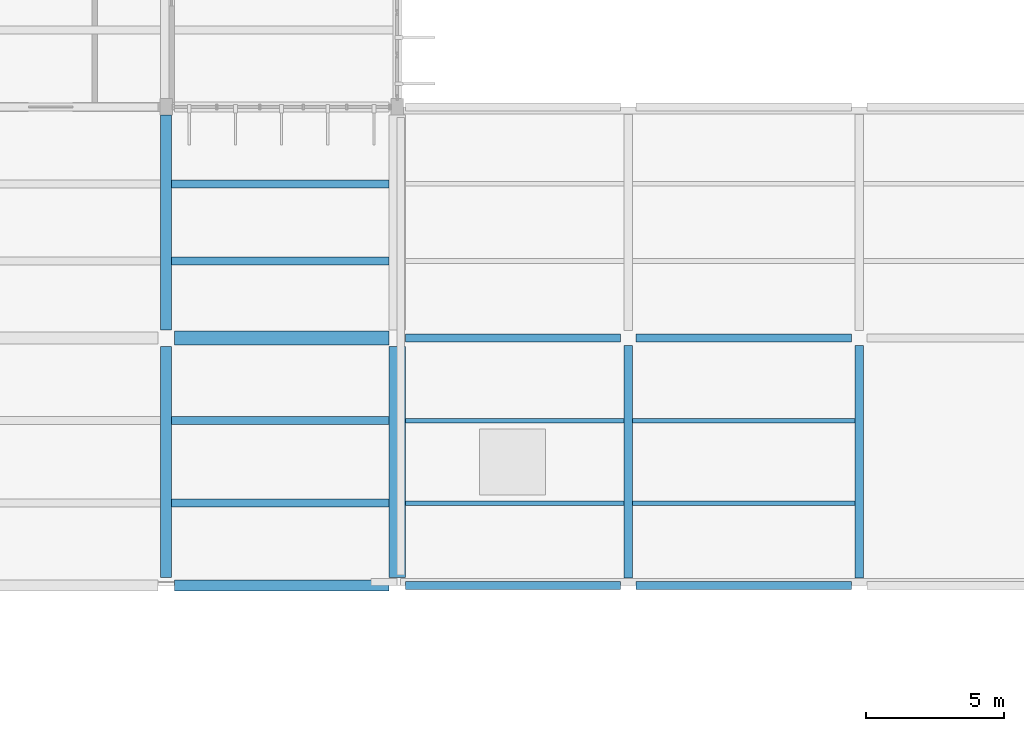
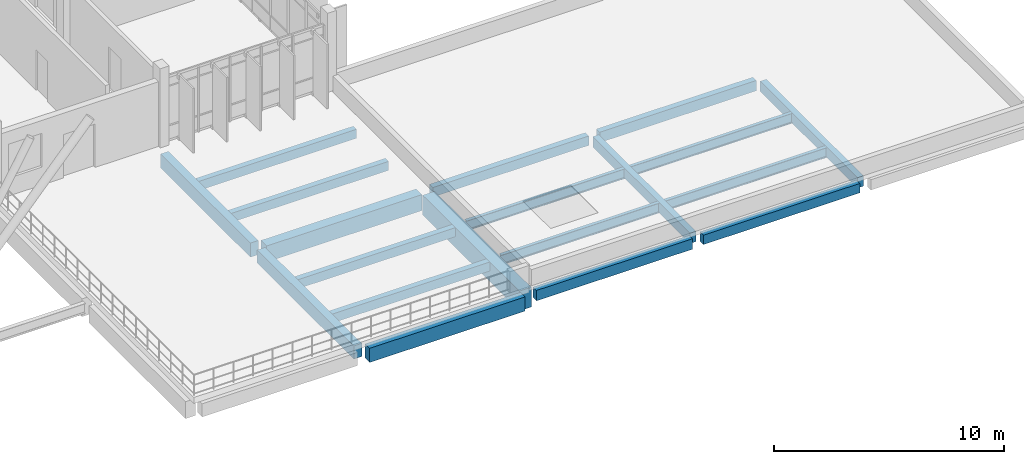
# One storey, part 14 of 107: 19 beams.
"""IFC4 building model written with IfcOpenShell, lengths in metres."""

from ifc_helpers import new_model, si_unit, direction, frame, origin, origin_2d, place, context, subcontext, project, spatial, rectangle, i_section, extrude, material, material_profile, profile_set, type_object, element, save


model = new_model("IFC4")

# Units and contexts
model_context = context("Model", 3, precision=1e-05, world=origin(), true_north=direction((0.0, 1.0)))
body_context = subcontext(model_context, "Body", "Model", "MODEL_VIEW")
ifc_project = project(units=[si_unit("LENGTHUNIT", "METRE"), si_unit("AREAUNIT", "SQUARE_METRE"), si_unit("VOLUMEUNIT", "CUBIC_METRE"), si_unit("PLANEANGLEUNIT", "RADIAN"), si_unit("MASSUNIT", "GRAM", prefix="KILO")], contexts=[model_context])

# Site, building, storey
site_placement = place(None, origin())
site = spatial("IfcSite", under=ifc_project, at=site_placement, CompositionType="ELEMENT")
building_placement = place(site_placement, origin())
building = spatial("IfcBuilding", under=site, at=building_placement, Name="Vireocrest Preparatory School", CompositionType="ELEMENT")
storey_placement = place(building_placement, frame((0.0, 0.0, 13.199951171875)))
storey = spatial("IfcBuildingStorey", under=building, at=storey_placement, Name="L03", CompositionType="ELEMENT", Elevation=13.199951171875)

# Beams
ifc_material_1 = material(Name="Structural steel ASTM A992 Grade 50", Category="steel")
ifc_material_profile_1 = material_profile(ifc_material_1, i_section(OverallWidth=0.166015625, OverallDepth=0.529052734375, WebThickness=0.009765625, FlangeThickness=0.013671875, FilletRadius=0.014892578125, at=origin_2d()), Name="W21X50")
ifc_profile_set_1 = profile_set([ifc_material_profile_1], Name="Structural steel ASTM A992 Grade 50")
beam_type_1 = type_object("IfcBeamType", Name="Pavilion Roof Joist W21X50", PredefinedType="JOIST", material=ifc_profile_set_1)
for number, where, z_axis, x_axis, name in (
    (1, (109.5, 21.0, -0.484375), (1.0, 0.0, 0.0), (0.0, 1.0, 0.0), "Secondary Joist SJ1 L03-1277"),
    (2, (109.5, 24.0, -0.484375), (1.0, 0.0, 0.0), (0.0, 1.0, 0.0), "Secondary Joist SJ1 L03-1278"),
):
    element("IfcBeam", number, at=place(storey_placement, frame(where, z_axis=z_axis, x_axis=x_axis)), inside=storey, type_object=beam_type_1, Name=name, PredefinedType="JOIST", context=body_context, shape_type="SweptSolid", body=[
        extrude(i_section(OverallWidth=0.166015625, OverallDepth=0.529052734375, WebThickness=0.009765625, FlangeThickness=0.013671875, FilletRadius=0.014892578125, at=origin_2d()), origin(), (0.0, 0.0, 1.0), 7.949951171875),
    ])
for number, where, z_axis, x_axis, name in (
    (3, (117.75, 21.0, -0.484375), (1.0, 0.0, 0.0), (0.0, 1.0, 0.0), "Secondary Joist SJ1 L03-1285"),
    (4, (117.75, 24.0, -0.484375), (1.0, 0.0, 0.0), (0.0, 1.0, 0.0), "Secondary Joist SJ1 L03-1286"),
):
    element("IfcBeam", number, at=place(storey_placement, frame(where, z_axis=z_axis, x_axis=x_axis)), inside=storey, type_object=beam_type_1, Name=name, PredefinedType="JOIST", context=body_context, shape_type="SweptSolid", body=[
        extrude(i_section(OverallWidth=0.166015625, OverallDepth=0.529052734375, WebThickness=0.009765625, FlangeThickness=0.013671875, FilletRadius=0.014892578125, at=origin_2d()), origin(), (0.0, 0.0, 1.0), 8.10009765625),
    ])
ifc_material_2 = material(Name="Concrete 40 MPa", Category="concrete")
ifc_material_profile_2 = material_profile(ifc_material_2, rectangle(XDim=0.39990234375, YDim=0.75, at=origin_2d()), Name="RC 400x750")
ifc_profile_set_2 = profile_set([ifc_material_profile_2], Name="Concrete 40 MPa")
beam_type_2 = type_object("IfcBeamType", Name="RC Commons Girder 400x750", PredefinedType="BEAM", material=ifc_profile_set_2)
beam_1_placement = place(storey_placement, frame((101.10009765625, 18.0, -0.695068359375), z_axis=(1.0, 0.0, 0.0), x_axis=(0.0, 1.0, 0.0)))
element("IfcBeam", 5, at=beam_1_placement, inside=storey, type_object=beam_type_2, Name="Primary Girder B09 L03-1033", PredefinedType="BEAM", context=body_context, shape_type="SweptSolid", body=[
    extrude(rectangle(XDim=0.39990234375, YDim=0.75, at=origin_2d()), origin(), (0.0, 0.0, 1.0), 7.7998046875),
])
beam_2_placement = place(storey_placement, frame((100.800048828125, 27.300048828125, -0.695068359375), z_axis=(0.0, 1.0, 0.0), x_axis=(-1.0, 0.0, 0.0)))
element("IfcBeam", 6, at=beam_2_placement, inside=storey, type_object=beam_type_2, Name="Primary Girder B09 L03-1154", PredefinedType="BEAM", context=body_context, shape_type="SweptSolid", body=[
    extrude(rectangle(XDim=0.39990234375, YDim=0.75, at=origin_2d()), origin(), (0.0, 0.0, 1.0), 7.800048828125),
])
ifc_material_profile_3 = material_profile(ifc_material_2, rectangle(XDim=0.39990234375, YDim=0.699951171875, at=origin_2d()), Name="RC 400x700")
ifc_profile_set_3 = profile_set([ifc_material_profile_3], Name="Concrete 40 MPa")
beam_type_3 = type_object("IfcBeamType", Name="RC Corridor Girder 400x700", PredefinedType="BEAM", material=ifc_profile_set_3)
beam_3_placement = place(storey_placement, frame((100.800048828125, 18.300048828125, -0.669921875), z_axis=(0.0, 1.0, 0.0), x_axis=(-1.0, 0.0, 0.0)))
element("IfcBeam", 7, at=beam_3_placement, inside=storey, type_object=beam_type_3, Name="Primary Girder B08 L03-1153", PredefinedType="BEAM", context=body_context, shape_type="SweptSolid", body=[
    extrude(rectangle(XDim=0.39990234375, YDim=0.699951171875, at=origin_2d()), origin(), (0.0, 0.0, 1.0), 8.39990234375),
])
ifc_material_profile_4 = material_profile(ifc_material_2, rectangle(XDim=0.5, YDim=0.85009765625, at=origin_2d()), Name="RC 500x850")
ifc_profile_set_4 = profile_set([ifc_material_profile_4], Name="Concrete 40 MPa")
beam_type_4 = type_object("IfcBeamType", Name="RC Podium Girder 500x850", PredefinedType="BEAM", material=ifc_profile_set_4)
beam_4_placement = place(storey_placement, frame((101.10009765625, 27.0, -0.744873046875), z_axis=(1.0, 0.0, 0.0), x_axis=(0.0, 1.0, 0.0)))
element("IfcBeam", 8, at=beam_4_placement, inside=storey, type_object=beam_type_4, Name="Primary Girder B14 L03-1038", PredefinedType="BEAM", context=body_context, shape_type="SweptSolid", body=[
    extrude(rectangle(XDim=0.5, YDim=0.85009765625, at=origin_2d()), origin(), (0.0, 0.0, 1.0), 7.7998046875),
])
ifc_material_profile_5 = material_profile(ifc_material_2, rectangle(XDim=0.300048828125, YDim=0.5, at=origin_2d()), Name="RC 300x500")
ifc_profile_set_5 = profile_set([ifc_material_profile_5], Name="Concrete 40 MPa")
beam_type_5 = type_object("IfcBeamType", Name="RC Roof Edge Beam 300x500", PredefinedType="BEAM", material=ifc_profile_set_5)
beam_5_placement = place(storey_placement, frame((117.875, 18.0, -0.469970703125), z_axis=(1.0, 0.0, 0.0), x_axis=(0.0, 1.0, 0.0)))
element("IfcBeam", 9, at=beam_5_placement, inside=storey, type_object=beam_type_5, Name="Primary Girder B01 L03-1035", PredefinedType="BEAM", context=body_context, shape_type="SweptSolid", body=[
    extrude(rectangle(XDim=0.300048828125, YDim=0.5, at=origin_2d()), origin(), (0.0, 0.0, 1.0), 7.85009765625),
])
beam_6_placement = place(storey_placement, frame((109.5, 27.0, -0.469970703125), z_axis=(1.0, 0.0, 0.0), x_axis=(0.0, 1.0, 0.0)))
element("IfcBeam", 10, at=beam_6_placement, inside=storey, type_object=beam_type_5, Name="Primary Girder B01 L03-1039", PredefinedType="BEAM", context=body_context, shape_type="SweptSolid", body=[
    extrude(rectangle(XDim=0.300048828125, YDim=0.5, at=origin_2d()), origin(), (0.0, 0.0, 1.0), 7.824951171875),
])
ifc_material_profile_6 = material_profile(ifc_material_2, rectangle(XDim=0.300048828125, YDim=0.550048828125, at=origin_2d()), Name="RC 300x550")
ifc_profile_set_6 = profile_set([ifc_material_profile_6], Name="Concrete 40 MPa")
beam_type_6 = type_object("IfcBeamType", Name="RC Roof Girder 300x550", PredefinedType="BEAM", material=ifc_profile_set_6)
beam_7_placement = place(storey_placement, frame((109.5, 18.0, -0.494873046875), z_axis=(1.0, 0.0, 0.0), x_axis=(0.0, 1.0, 0.0)))
element("IfcBeam", 11, at=beam_7_placement, inside=storey, type_object=beam_type_6, Name="Primary Girder B02 L03-1034", PredefinedType="BEAM", context=body_context, shape_type="SweptSolid", body=[
    extrude(rectangle(XDim=0.300048828125, YDim=0.550048828125, at=origin_2d()), origin(), (0.0, 0.0, 1.0), 7.824951171875),
])
beam_8_placement = place(storey_placement, frame((117.875, 27.0, -0.494873046875), z_axis=(1.0, 0.0, 0.0), x_axis=(0.0, 1.0, 0.0)))
element("IfcBeam", 12, at=beam_8_placement, inside=storey, type_object=beam_type_6, Name="Primary Girder B02 L03-1040", PredefinedType="BEAM", context=body_context, shape_type="SweptSolid", body=[
    extrude(rectangle(XDim=0.300048828125, YDim=0.550048828125, at=origin_2d()), origin(), (0.0, 0.0, 1.0), 7.85009765625),
])
for number, where, z_axis, x_axis, name in (
    (13, (117.60009765625, 18.27490234375, -0.494873046875), (0.0, 1.0, 0.0), (-1.0, 0.0, 0.0), "Primary Girder B02 L03-1175"),
    (14, (126.0, 18.27490234375, -0.494873046875), (0.0, 1.0, 0.0), (-1.0, 0.0, 0.0), "Primary Girder B02 L03-1179"),
):
    element("IfcBeam", number, at=place(storey_placement, frame(where, z_axis=z_axis, x_axis=x_axis)), inside=storey, type_object=beam_type_6, Name=name, PredefinedType="BEAM", context=body_context, shape_type="SweptSolid", body=[
        extrude(rectangle(XDim=0.300048828125, YDim=0.550048828125, at=origin_2d()), origin(), (0.0, 0.0, 1.0), 8.4501953125),
    ])
ifc_material_profile_7 = material_profile(ifc_material_2, rectangle(XDim=0.280029296875, YDim=0.47998046875, at=origin_2d()), Name="RC 280x480")
ifc_profile_set_7 = profile_set([ifc_material_profile_7], Name="Concrete 40 MPa")
beam_type_7 = type_object("IfcBeamType", Name="RC Secondary Lab Joist 280x480", PredefinedType="JOIST", material=ifc_profile_set_7)
for number, where, z_axis, x_axis, name in (
    (15, (101.0, 21.0, -0.56005859375), (1.0, 0.0, 0.0), (0.0, 1.0, 0.0), "Secondary Joist J02 L03-1259"),
    (16, (101.0, 24.0, -0.56005859375), (1.0, 0.0, 0.0), (0.0, 1.0, 0.0), "Secondary Joist J02 L03-1260"),
    (17, (101.0, 29.800048828125, -0.56005859375), (1.0, 0.0, 0.0), (0.0, 1.0, 0.0), "Secondary Joist J02 L03-1261"),
    (18, (101.0, 32.60009765625, -0.56005859375), (1.0, 0.0, 0.0), (0.0, 1.0, 0.0), "Secondary Joist J02 L03-1262"),
):
    element("IfcBeam", number, at=place(storey_placement, frame(where, z_axis=z_axis, x_axis=x_axis)), inside=storey, type_object=beam_type_7, Name=name, PredefinedType="JOIST", context=body_context, shape_type="SweptSolid", body=[
        extrude(rectangle(XDim=0.280029296875, YDim=0.47998046875, at=origin_2d()), origin(), (0.0, 0.0, 1.0), 7.89990234375),
    ])
ifc_material_profile_8 = material_profile(ifc_material_2, rectangle(XDim=0.60009765625, YDim=1.050048828125, at=origin_2d()), Name="RC 600x1050")
ifc_profile_set_8 = profile_set([ifc_material_profile_8], Name="Concrete 40 MPa")
beam_type_8 = type_object("IfcBeamType", Name="RC Transfer Girder 600x1050", PredefinedType="BEAM", material=ifc_profile_set_8)
beam_9_placement = place(storey_placement, frame((109.199951171875, 18.300048828125, -0.844970703125), z_axis=(0.0, 1.0, 0.0), x_axis=(-1.0, 0.0, 0.0)))
element("IfcBeam", 19, at=beam_9_placement, inside=storey, type_object=beam_type_8, Name="Primary Girder B19 L03-1164", PredefinedType="BEAM", context=body_context, shape_type="SweptSolid", body=[
    extrude(rectangle(XDim=0.60009765625, YDim=1.050048828125, at=origin_2d()), origin(), (0.0, 0.0, 1.0), 8.39990234375),
])

save(model, "model.ifc")
